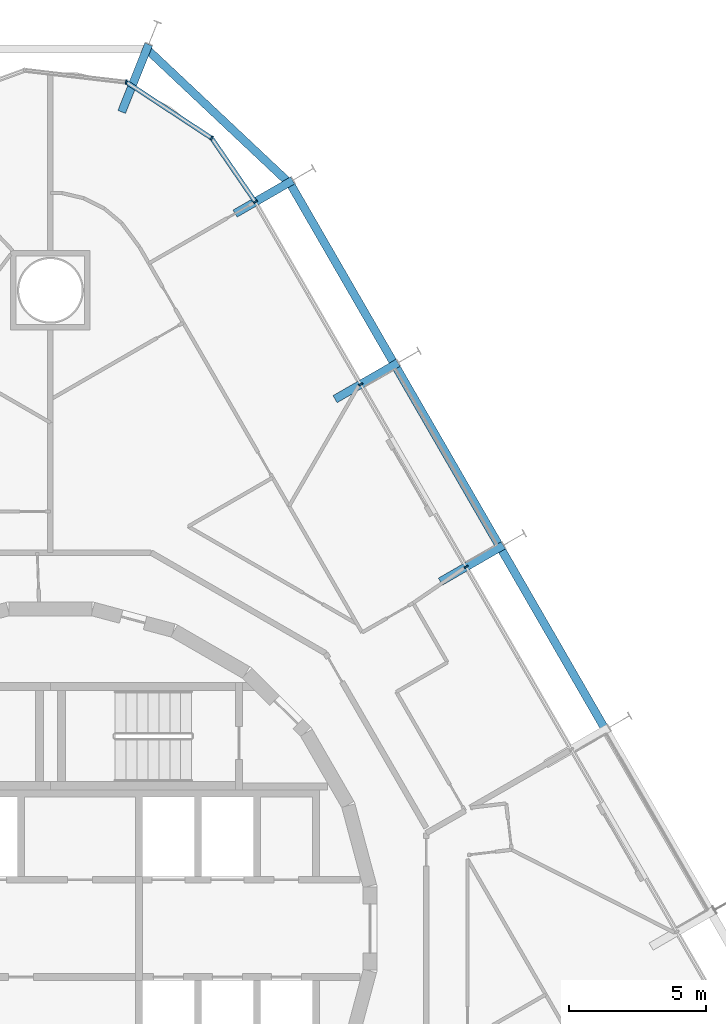
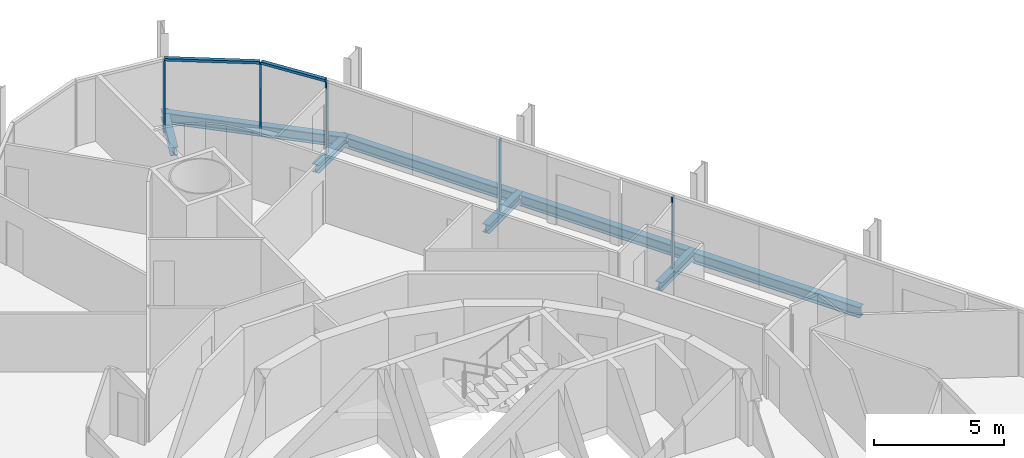
# One storey, part 10 of 20: 8 beams, 7 members, 2 elements without a shape of their own.
"""IFC4 building model written with IfcOpenShell, lengths in metres."""

from ifc_helpers import new_model, si_unit, direction, frame, origin, origin_2d, place, context, subcontext, project, spatial, rectangle, i_section, extrude, material, layer, layer_set, material_profile, profile_set, type_object, element, aggregate, save


model = new_model("IFC4")

# Units and contexts
model_context = context("Model", 3, precision=1e-05, world=origin(), true_north=direction((0.0, 1.0)))
body_context = subcontext(model_context, "Body", "Model", "MODEL_VIEW")
ifc_project = project(units=[si_unit("LENGTHUNIT", "METRE"), si_unit("AREAUNIT", "SQUARE_METRE"), si_unit("VOLUMEUNIT", "CUBIC_METRE"), si_unit("PLANEANGLEUNIT", "RADIAN"), si_unit("MASSUNIT", "GRAM", prefix="KILO")], contexts=[model_context])

# Site, building, storey
site_placement = place(None, origin())
site = spatial("IfcSite", under=ifc_project, at=site_placement, CompositionType="ELEMENT")
building_placement = place(site_placement, origin())
building = spatial("IfcBuilding", under=site, at=building_placement, Name="Spindle Arch Residences", CompositionType="ELEMENT")
storey_placement = place(building_placement, frame((0.0, 0.0, 59.39990234375)))
storey = spatial("IfcBuildingStorey", under=building, at=storey_placement, Name="L13", CompositionType="ELEMENT", Elevation=59.39990234375)

# Curtain wall, members
ifc_material_1 = material(Name="Aluminium bronze unitised frame with tinted glass", Category="aluminium")
ifc_layer_1 = layer(ifc_material_1, 0.159912109375)
ifc_layer_set_1 = layer_set([ifc_layer_1], Name="CW-C typical residential unitised wall")
curtain_wall_type_1 = type_object("IfcCurtainWallType", Name="CW-C typical residential unitised wall", PredefinedType="NOTDEFINED", material=ifc_layer_set_1)
curtain_wall_1_placement = place(storey_placement, origin())
curtain_wall_1 = element("IfcCurtainWall", 1, at=curtain_wall_1_placement, inside=storey, type_object=curtain_wall_type_1, Name="CW-C L13 run 2", PredefinedType="NOTDEFINED")
ifc_material_2 = material(Name="Aluminium bronze anodised mullion", Category="aluminium")
ifc_material_profile_1 = material_profile(ifc_material_2, rectangle(XDim=0.159912109375, YDim=0.06005859375, at=origin_2d()), Name="MU 60x160")
ifc_profile_set_1 = profile_set([ifc_material_profile_1], Name="Aluminium bronze anodised mullion")
member_type_1 = type_object("IfcMemberType", Name="Bronze mullion 60x160", PredefinedType="MULLION", material=ifc_profile_set_1)
member_1_placement = place(storey_placement, frame((15.149169921875, 13.180419921875, -0.3798828125), z_axis=(0.0, 0.0, 1.0), x_axis=(-0.866025403784, -0.5, 0.0)))
member_1 = element("IfcMember", 2, at=member_1_placement, type_object=member_type_1, Name="CW-C mullion 08", PredefinedType="MULLION", context=body_context, shape_type="SweptSolid", body=[
    extrude(rectangle(XDim=0.159912109375, YDim=0.06005859375, at=origin_2d()), origin(), (0.0, 0.0, 1.0), 3.3798828125),
])
member_2_placement = place(storey_placement, frame((11.309326171875, 19.83154296875, -0.3798828125), z_axis=(0.0, 0.0, 1.0), x_axis=(-0.866025403784, -0.5, 0.0)))
member_2 = element("IfcMember", 3, at=member_2_placement, type_object=member_type_1, Name="CW-C mullion 09", PredefinedType="MULLION", context=body_context, shape_type="SweptSolid", body=[
    extrude(rectangle(XDim=0.159912109375, YDim=0.06005859375, at=origin_2d()), origin(), (0.0, 0.0, 1.0), 3.3798828125),
])
aggregate(curtain_wall_1, [member_1, member_2])

ifc_material_3 = material(Name="Aluminium bronze unitised frame with tinted glass", Category="aluminium")
ifc_layer_2 = layer(ifc_material_3, 0.159912109375)
ifc_layer_set_2 = layer_set([ifc_layer_2], Name="CW-D corner wall on the fillet arcs")
curtain_wall_type_2 = type_object("IfcCurtainWallType", Name="CW-D corner wall on the fillet arcs", PredefinedType="NOTDEFINED", material=ifc_layer_set_2)
curtain_wall_2_placement = place(storey_placement, origin())
curtain_wall_2 = element("IfcCurtainWall", 4, at=curtain_wall_2_placement, inside=storey, type_object=curtain_wall_type_2, Name="CW-D L13 run 3", PredefinedType="NOTDEFINED")
member_3_placement = place(storey_placement, frame((7.46923828125, 26.48291015625, -0.3798828125), z_axis=(0.0, 0.0, 1.0), x_axis=(-0.824747802142, -0.565500718711, 0.0)))
member_3 = element("IfcMember", 5, at=member_3_placement, type_object=member_type_1, Name="CW-D mullion 00", PredefinedType="MULLION", context=body_context, shape_type="SweptSolid", body=[
    extrude(rectangle(XDim=0.159912109375, YDim=0.06005859375, at=origin_2d()), origin(), (0.0, 0.0, 1.0), 3.3798828125),
])
member_4_placement = place(storey_placement, frame((5.877197265625, 28.8046875, -0.3798828125), z_axis=(0.0, 0.0, 1.0), x_axis=(-0.549508977628, -0.835487811704, 0.0)))
member_4 = element("IfcMember", 6, at=member_4_placement, type_object=member_type_1, Name="CW-D mullion 01", PredefinedType="MULLION", context=body_context, shape_type="SweptSolid", body=[
    extrude(rectangle(XDim=0.159912109375, YDim=0.06005859375, at=origin_2d()), origin(), (0.0, 0.0, 1.0), 3.3798828125),
])
member_5_placement = place(storey_placement, frame((2.763427734375, 30.8525390625, -0.3798828125), z_axis=(0.0, 0.0, 1.0), x_axis=(-0.116092915414, -0.993238357591, 0.0)))
member_5 = element("IfcMember", 7, at=member_5_placement, type_object=member_type_1, Name="CW-D mullion 02", PredefinedType="MULLION", context=body_context, shape_type="SweptSolid", body=[
    extrude(rectangle(XDim=0.159912109375, YDim=0.06005859375, at=origin_2d()), origin(), (0.0, 0.0, 1.0), 3.3798828125),
])
ifc_material_4 = material(Name="Aluminium bronze anodised transom", Category="aluminium")
ifc_material_profile_2 = material_profile(ifc_material_4, rectangle(XDim=0.159912109375, YDim=0.1201171875, at=origin_2d()), Name="TR 120x160")
ifc_profile_set_2 = profile_set([ifc_material_profile_2], Name="Aluminium bronze anodised transom")
member_type_2 = type_object("IfcMemberType", Name="Bronze transom 120x160", PredefinedType="USERDEFINED", material=ifc_profile_set_2)
member_6_placement = place(storey_placement, frame((7.4521484375, 26.507568359375, 3.06005859375), z_axis=(-0.565490471855, 0.824754827958, 0.0), x_axis=(-0.824754827958, -0.565490471855, 0.0)))
member_6 = element("IfcMember", 8, at=member_6_placement, type_object=member_type_2, Name="CW-D transom 00", ObjectType="TRANSOM", PredefinedType="USERDEFINED", context=body_context, shape_type="SweptSolid", body=[
    extrude(rectangle(XDim=0.159912109375, YDim=0.1201171875, at=origin_2d()), origin(), (0.0, 0.0, 1.0), 2.75537109375),
])
member_7_placement = place(storey_placement, frame((5.85205078125, 28.821044921875, 3.06005859375), z_axis=(-0.835486265536, 0.549511328456, 0.0), x_axis=(-0.549511328456, -0.835486265536, 0.0)))
member_7 = element("IfcMember", 9, at=member_7_placement, type_object=member_type_2, Name="CW-D transom 01", ObjectType="TRANSOM", PredefinedType="USERDEFINED", context=body_context, shape_type="SweptSolid", body=[
    extrude(rectangle(XDim=0.159912109375, YDim=0.1201171875, at=origin_2d()), origin(), (0.0, 0.0, 1.0), 3.666748046875),
])
aggregate(curtain_wall_2, [member_3, member_6, member_4, member_7, member_5])

# Beams
ifc_material_5 = material(Name="Steel S460ML, intumescent coating R 120", Category="steel")
ifc_material_profile_3 = material_profile(ifc_material_5, i_section(OverallWidth=0.300048828125, OverallDepth=0.5, WebThickness=0.014404296875, FlangeThickness=0.028076171875, FilletRadius=0.027099609375, at=origin_2d()), Name="HEB 500")
ifc_profile_set_3 = profile_set([ifc_material_profile_3], Name="Steel S460ML, intumescent coating R 120")
beam_type_1 = type_object("IfcBeamType", Name="Exoskeleton edge beam HEB 500", PredefinedType="BEAM", material=ifc_profile_set_3)
for number, where, z_axis, x_axis, name in (
    (10, (20.165283203125, 7.3583984375, -0.6298828125), (-0.5000139068, 0.866017374541, 0.0), (-0.866017374541, -0.5000139068, 0.0), "Exoskeleton edge beam 8"),
    (11, (16.3251953125, 14.009521484375, -0.6298828125), (-0.49998923004, 0.866031621735, 0.0), (-0.866031621735, -0.49998923004, 0.0), "Exoskeleton edge beam 9"),
):
    element("IfcBeam", number, at=place(storey_placement, frame(where, z_axis=z_axis, x_axis=x_axis)), inside=storey, type_object=beam_type_1, Name=name, PredefinedType="BEAM", context=body_context, shape_type="SweptSolid", body=[
        extrude(i_section(OverallWidth=0.300048828125, OverallDepth=0.5, WebThickness=0.014404296875, FlangeThickness=0.028076171875, FilletRadius=0.027099609375, at=origin_2d()), origin(), (0.0, 0.0, 1.0), 7.420166015625),
    ])
beam_1_placement = place(storey_placement, frame((12.485107421875, 20.660888671875, -0.6298828125), z_axis=(-0.500003477455, 0.866023396066, 0.0), x_axis=(-0.866023396066, -0.500003477455, 0.0)))
element("IfcBeam", 12, at=beam_1_placement, inside=storey, type_object=beam_type_1, Name="Exoskeleton edge beam 10", PredefinedType="BEAM", context=body_context, shape_type="SweptSolid", body=[
    extrude(i_section(OverallWidth=0.300048828125, OverallDepth=0.5, WebThickness=0.014404296875, FlangeThickness=0.028076171875, FilletRadius=0.027099609375, at=origin_2d()), origin(), (0.0, 0.0, 1.0), 7.419921875),
])
beam_2_placement = place(storey_placement, frame((8.739501953125, 27.13818359375, -0.6298828125), z_axis=(-0.728394714383, 0.685157748303, 0.0), x_axis=(-0.685157748303, -0.728394714383, 0.0)))
element("IfcBeam", 13, at=beam_2_placement, inside=storey, type_object=beam_type_1, Name="Exoskeleton edge beam 11", PredefinedType="BEAM", context=body_context, shape_type="SweptSolid", body=[
    extrude(i_section(OverallWidth=0.300048828125, OverallDepth=0.5, WebThickness=0.014404296875, FlangeThickness=0.028076171875, FilletRadius=0.027099609375, at=origin_2d()), origin(), (0.0, 0.0, 1.0), 7.250244140625),
])
ifc_material_6 = material(Name="Steel S460ML, intumescent coating R 120", Category="steel")
ifc_material_profile_4 = material_profile(ifc_material_6, i_section(OverallWidth=0.300048828125, OverallDepth=0.389892578125, WebThickness=0.010986328125, FlangeThickness=0.01904296875, FilletRadius=0.027099609375, at=origin_2d()), Name="HEA 400")
ifc_profile_set_4 = profile_set([ifc_material_profile_4], Name="Steel S460ML, intumescent coating R 120")
beam_type_2 = type_object("IfcBeamType", Name="Floor outrigger HEA 400", PredefinedType="BEAM", material=ifc_profile_set_4)
for number, where, z_axis, x_axis, name in (
    (14, (16.5087890625, 13.965576171875, -0.574951171875), (-0.865989200783, -0.500062700197, 0.0), (0.500062700197, -0.865989200783, 0.0), "Floor outrigger 9"),
    (15, (12.6689453125, 20.61669921875, -0.574951171875), (-0.866052124492, -0.499953715521, 0.0), (0.499953715521, -0.866052124492, 0.0), "Floor outrigger 10"),
):
    element("IfcBeam", number, at=place(storey_placement, frame(where, z_axis=z_axis, x_axis=x_axis)), inside=storey, type_object=beam_type_2, Name=name, PredefinedType="BEAM", context=body_context, shape_type="SweptSolid", body=[
        extrude(i_section(OverallWidth=0.300048828125, OverallDepth=0.389892578125, WebThickness=0.010986328125, FlangeThickness=0.01904296875, FilletRadius=0.027099609375, at=origin_2d()), origin(), (0.0, 0.0, 1.0), 2.650146484375),
    ])
beam_3_placement = place(storey_placement, frame((8.828857421875, 27.267822265625, -0.574951171875), z_axis=(-0.866002732682, -0.500039265445, 0.0), x_axis=(0.500039265445, -0.866002732682, 0.0)))
element("IfcBeam", 16, at=beam_3_placement, inside=storey, type_object=beam_type_2, Name="Floor outrigger 11", PredefinedType="BEAM", context=body_context, shape_type="SweptSolid", body=[
    extrude(i_section(OverallWidth=0.300048828125, OverallDepth=0.389892578125, WebThickness=0.010986328125, FlangeThickness=0.01904296875, FilletRadius=0.027099609375, at=origin_2d()), origin(), (0.0, 0.0, 1.0), 2.423583984375),
])
beam_4_placement = place(storey_placement, frame((3.581298828125, 32.220703125, -0.574951171875), z_axis=(-0.371104734129, -0.928591016706, 0.0), x_axis=(0.928591016706, -0.371104734129, 0.0)))
element("IfcBeam", 17, at=beam_4_placement, inside=storey, type_object=beam_type_2, Name="Floor outrigger 12", PredefinedType="BEAM", context=body_context, shape_type="SweptSolid", body=[
    extrude(i_section(OverallWidth=0.300048828125, OverallDepth=0.389892578125, WebThickness=0.010986328125, FlangeThickness=0.01904296875, FilletRadius=0.027099609375, at=origin_2d()), origin(), (0.0, 0.0, 1.0), 2.64990234375),
])

save(model, "model.ifc")
